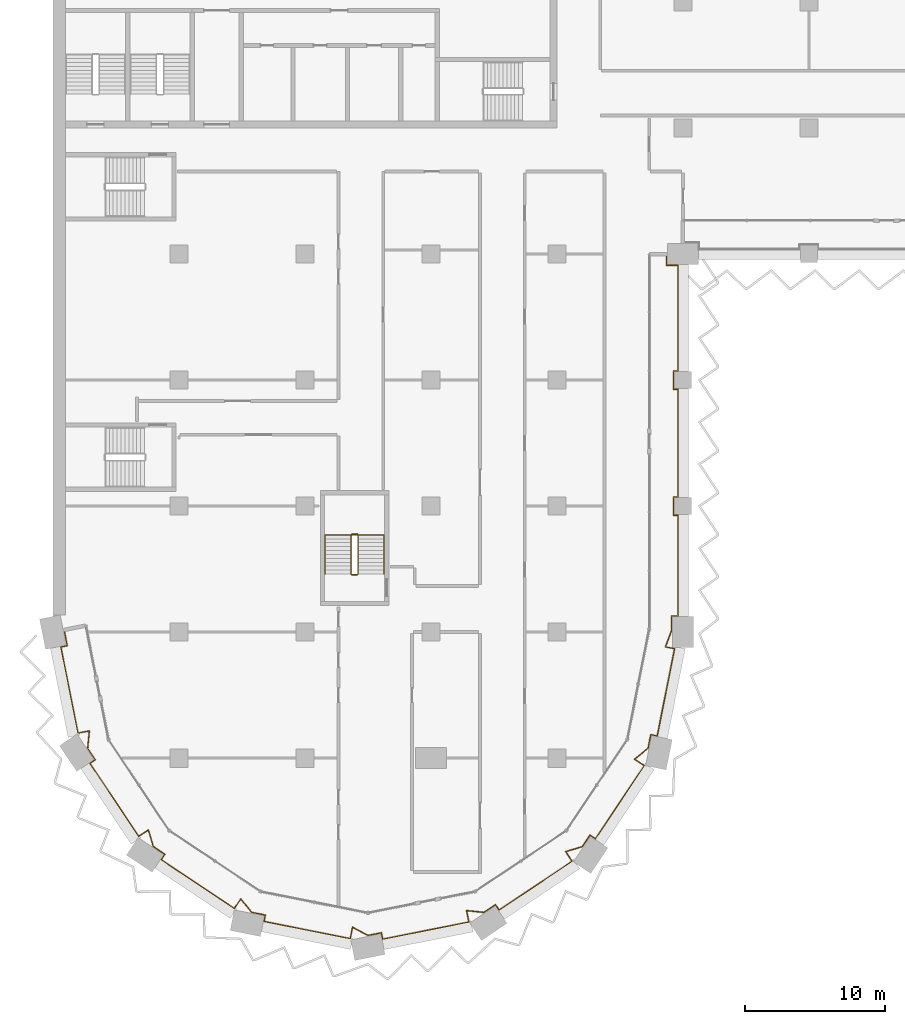
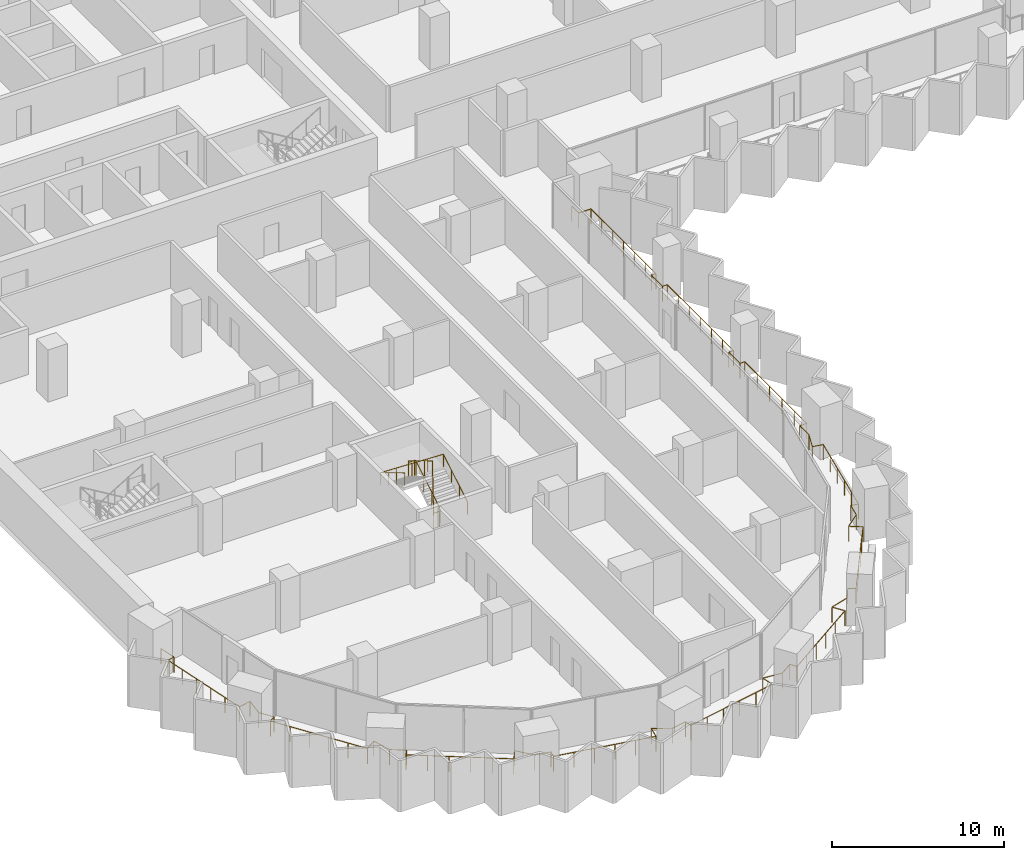
# One storey, part 20 of 23: 3 railings.
"""IFC4 building model written with IfcOpenShell, lengths in metres."""

from ifc_helpers import new_model, si_unit, direction, frame, origin, origin_2d, place, context, subcontext, project, spatial, circle, extrude, material, type_object, element, save


model = new_model("IFC4")

# Units and contexts
model_context = context("Model", 3, precision=1e-05, world=origin(), true_north=direction((0.0, 1.0)))
body_context = subcontext(model_context, "Body", "Model", "MODEL_VIEW")
ifc_project = project(units=[si_unit("LENGTHUNIT", "METRE"), si_unit("AREAUNIT", "SQUARE_METRE"), si_unit("VOLUMEUNIT", "CUBIC_METRE"), si_unit("PLANEANGLEUNIT", "RADIAN"), si_unit("MASSUNIT", "GRAM", prefix="KILO")], contexts=[model_context])

# Site, building, storey
site_placement = place(None, origin())
site = spatial("IfcSite", under=ifc_project, at=site_placement, CompositionType="ELEMENT")
building_placement = place(site_placement, origin())
building = spatial("IfcBuilding", under=site, at=building_placement, Name="Hunhe Ridgeline Campus", CompositionType="ELEMENT")
storey_placement = place(building_placement, frame((0.0, 0.0, 125.5)))
storey = spatial("IfcBuildingStorey", under=building, at=storey_placement, Name="L31", CompositionType="ELEMENT", Elevation=125.5)

# Railings
ifc_material_1 = material(Name="Steel Q355", Category="steel")
railing_type_1 = type_object("IfcRailingType", Name="Loggia guard 1100 Steel Q355", PredefinedType="GUARDRAIL", material=ifc_material_1)
railing_1_placement = place(storey_placement, frame((0.80419921875, 27.159912109375, 0.0)))
element("IfcRailing", 1, at=railing_1_placement, inside=storey, type_object=railing_type_1, Name="Loggia guard 1", PredefinedType="GUARDRAIL", context=body_context, shape_type="SweptSolid", body=[
    extrude(circle(Radius=0.02392578125, at=origin_2d()), frame((0.0, 0.0, 1.076171875), z_axis=(0.195095399255, -0.980784270464, 0.0), x_axis=(0.980784270464, 0.195095399255, 0.0)), (0.0, 0.0, 1.0), 1.150146484375),
    extrude(circle(Radius=0.02392578125, at=origin_2d()), frame((0.224365234375, -1.1279296875, 1.076171875), z_axis=(-0.980839571814, -0.194817181902, 0.0), x_axis=(0.194817181902, -0.980839571814, 0.0)), (0.0, 0.0, 1.0), 0.469970703125),
    extrude(circle(Radius=0.02392578125, at=origin_2d()), frame((-0.236572265625, -1.219482421875, 1.076171875), z_axis=(0.195091122585, -0.98078512116, 0.0), x_axis=(0.98078512116, 0.195091122585, 0.0)), (0.0, 0.0, 1.0), 6.27587890625),
    extrude(circle(Radius=0.02392578125, at=origin_2d()), frame((0.98779296875, -7.374755859375, 1.076171875), z_axis=(0.980805242724, 0.194989937807, 0.0), x_axis=(-0.194989937807, 0.980805242724, 0.0)), (0.0, 0.0, 1.0), 0.833984375),
    extrude(circle(Radius=0.02392578125, at=origin_2d()), frame((1.8056640625, -7.212158203125, 1.076171875), z_axis=(-0.10024174874, -0.994963110778, 0.0), x_axis=(0.994963110778, -0.10024174874, 0.0)), (0.0, 0.0, 1.0), 1.24462890625),
    extrude(circle(Radius=0.02392578125, at=origin_2d()), frame((1.680908203125, -8.450439453125, 1.076171875), z_axis=(0.555613261421, -0.831440860034, 0.0), x_axis=(0.831440860034, 0.555613261421, 0.0)), (0.0, 0.0, 1.0), 0.98681640625),
    extrude(circle(Radius=0.02392578125, at=origin_2d()), frame((2.229248046875, -9.27099609375, 1.076171875), z_axis=(-0.831650496226, -0.55529942565, 0.0), x_axis=(0.55529942565, -0.831650496226, 0.0)), (0.0, 0.0, 1.0), 0.469970703125),
    extrude(circle(Radius=0.02392578125, at=origin_2d()), frame((1.83837890625, -9.531982421875, 1.076171875), z_axis=(0.55555274607, -0.831481296443, 0.0), x_axis=(0.831481296443, 0.55555274607, 0.0)), (0.0, 0.0, 1.0), 6.27587890625),
    extrude(circle(Radius=0.02392578125, at=origin_2d()), frame((5.324951171875, -14.750244140625, 1.076171875), z_axis=(0.831419211319, 0.555645656016, 0.0), x_axis=(-0.555645656016, 0.831419211319, 0.0)), (0.0, 0.0, 1.0), 0.833984375),
    extrude(circle(Radius=0.02392578125, at=origin_2d()), frame((6.018310546875, -14.286865234375, 1.076171875), z_axis=(0.288373576958, -0.957517979002, 0.0), x_axis=(0.957517979002, 0.288373576958, 0.0)), (0.0, 0.0, 1.0), 1.24462890625),
    extrude(circle(Radius=0.02392578125, at=origin_2d()), frame((6.377197265625, -15.478515625, 1.076171875), z_axis=(0.831440860034, -0.555613261421, 0.0), x_axis=(0.555613261421, 0.831440860034, 0.0)), (0.0, 0.0, 1.0), 0.98681640625),
    extrude(circle(Radius=0.02392578125, at=origin_2d()), frame((7.19775390625, -16.02685546875, 1.076171875), z_axis=(-0.555658548717, -0.831410594856, 0.0), x_axis=(0.831410594856, -0.555658548717, 0.0)), (0.0, 0.0, 1.0), 0.47021484375),
    extrude(circle(Radius=0.02392578125, at=origin_2d()), frame((6.9365234375, -16.417724609375, 1.076171875), z_axis=(0.831469289337, -0.555570716372, 0.0), x_axis=(0.555570716372, 0.831469289337, 0.0)), (0.0, 0.0, 1.0), 6.275634765625),
    extrude(circle(Radius=0.02392578125, at=origin_2d()), frame((12.154541015625, -19.904296875, 1.076171875), z_axis=(0.555645656016, 0.831419211319, 0.0), x_axis=(-0.831419211319, 0.555645656016, 0.0)), (0.0, 0.0, 1.0), 0.833984375),
    extrude(circle(Radius=0.02392578125, at=origin_2d()), frame((12.617919921875, -19.2109375, 1.076171875), z_axis=(0.632628709191, -0.774455238414, 0.0), x_axis=(0.774455238414, 0.632628709191, 0.0)), (0.0, 0.0, 1.0), 1.24462890625),
    extrude(circle(Radius=0.02392578125, at=origin_2d()), frame((13.4052734375, -20.1748046875, 1.076171875), z_axis=(0.980770488785, -0.195164669773, 0.0), x_axis=(0.195164669773, 0.980770488785, 0.0)), (0.0, 0.0, 1.0), 0.987060546875),
    extrude(circle(Radius=0.02392578125, at=origin_2d()), frame((14.373291015625, -20.367431640625, 1.076171875), z_axis=(-0.195316901017, -0.980740183829, 0.0), x_axis=(0.980740183829, -0.195316901017, 0.0)), (0.0, 0.0, 1.0), 0.469970703125),
    extrude(circle(Radius=0.02392578125, at=origin_2d()), frame((14.281494140625, -20.828369140625, 1.076171875), z_axis=(0.98078512116, -0.195091122585, 0.0), x_axis=(0.195091122585, 0.98078512116, 0.0)), (0.0, 0.0, 1.0), 6.27587890625),
    extrude(circle(Radius=0.02392578125, at=origin_2d()), frame((20.436767578125, -22.052734375, 1.076171875), z_axis=(0.194989937807, 0.980805242724, 0.0), x_axis=(-0.980805242724, 0.194989937807, 0.0)), (0.0, 0.0, 1.0), 0.833984375),
    extrude(circle(Radius=0.02392578125, at=origin_2d()), frame((20.599365234375, -21.23486328125, 1.076171875), z_axis=(0.880980801229, -0.473152013486, 0.0), x_axis=(0.473152013486, 0.880980801229, 0.0)), (0.0, 0.0, 1.0), 1.24462890625),
    extrude(circle(Radius=0.02392578125, at=origin_2d()), frame((21.69580078125, -21.82373046875, 1.076171875), z_axis=(0.98081780924, 0.194926717196, 0.0), x_axis=(-0.194926717196, 0.98081780924, 0.0)), (0.0, 0.0, 1.0), 0.987060546875),
    extrude(circle(Radius=0.02392578125, at=origin_2d()), frame((22.663818359375, -21.63134765625, 1.076171875), z_axis=(0.194817181902, -0.980839571814, 0.0), x_axis=(0.980839571814, 0.194817181902, 0.0)), (0.0, 0.0, 1.0), 0.469970703125),
    extrude(circle(Radius=0.02392578125, at=origin_2d()), frame((22.75537109375, -22.09228515625, 1.076171875), z_axis=(0.98078512116, 0.195091122585, 0.0), x_axis=(-0.195091122585, 0.98078512116, 0.0)), (0.0, 0.0, 1.0), 6.27587890625),
    extrude(circle(Radius=0.02392578125, at=origin_2d()), frame((28.91064453125, -20.867919921875, 1.076171875), z_axis=(-0.194989937807, 0.980805242724, 0.0), x_axis=(-0.980805242724, -0.194989937807, 0.0)), (0.0, 0.0, 1.0), 0.833984375),
    extrude(circle(Radius=0.02392578125, at=origin_2d()), frame((28.748046875, -20.050048828125, 1.076171875), z_axis=(0.994963110778, -0.10024174874, 0.0), x_axis=(0.10024174874, 0.994963110778, 0.0)), (0.0, 0.0, 1.0), 1.24462890625),
    extrude(circle(Radius=0.02392578125, at=origin_2d()), frame((29.986328125, -20.1748046875, 1.076171875), z_axis=(0.831440860034, 0.555613261421, 0.0), x_axis=(-0.555613261421, 0.831440860034, 0.0)), (0.0, 0.0, 1.0), 0.98681640625),
    extrude(circle(Radius=0.02392578125, at=origin_2d()), frame((30.806884765625, -19.62646484375, 1.076171875), z_axis=(0.55529942565, -0.831650496226, 0.0), x_axis=(0.831650496226, 0.55529942565, 0.0)), (0.0, 0.0, 1.0), 0.469970703125),
    extrude(circle(Radius=0.02392578125, at=origin_2d()), frame((31.06787109375, -20.017333984375, 1.076171875), z_axis=(0.831481296443, 0.55555274607, 0.0), x_axis=(-0.55555274607, 0.831481296443, 0.0)), (0.0, 0.0, 1.0), 6.27587890625),
    extrude(circle(Radius=0.02392578125, at=origin_2d()), frame((36.2861328125, -16.53076171875, 1.076171875), z_axis=(-0.555645656016, 0.831419211319, 0.0), x_axis=(-0.831419211319, -0.555645656016, 0.0)), (0.0, 0.0, 1.0), 0.833984375),
    extrude(circle(Radius=0.02392578125, at=origin_2d()), frame((35.82275390625, -15.83740234375, 1.076171875), z_axis=(0.957517979002, 0.288373576958, 0.0), x_axis=(-0.288373576958, 0.957517979002, 0.0)), (0.0, 0.0, 1.0), 1.24462890625),
    extrude(circle(Radius=0.02392578125, at=origin_2d()), frame((37.014404296875, -15.478515625, 1.076171875), z_axis=(0.555613261421, 0.831440860034, 0.0), x_axis=(-0.831440860034, 0.555613261421, 0.0)), (0.0, 0.0, 1.0), 0.98681640625),
    extrude(circle(Radius=0.02392578125, at=origin_2d()), frame((37.562744140625, -14.657958984375, 1.076171875), z_axis=(0.831410594856, -0.555658548717, 0.0), x_axis=(0.555658548717, 0.831410594856, 0.0)), (0.0, 0.0, 1.0), 0.47021484375),
    extrude(circle(Radius=0.02392578125, at=origin_2d()), frame((37.95361328125, -14.919189453125, 1.076171875), z_axis=(0.555570716372, 0.831469289337, 0.0), x_axis=(-0.831469289337, 0.555570716372, 0.0)), (0.0, 0.0, 1.0), 6.275634765625),
    extrude(circle(Radius=0.02392578125, at=origin_2d()), frame((41.440185546875, -9.701171875, 1.076171875), z_axis=(-0.831419211319, 0.555645656016, 0.0), x_axis=(-0.555645656016, -0.831419211319, 0.0)), (0.0, 0.0, 1.0), 0.833984375),
    extrude(circle(Radius=0.02392578125, at=origin_2d()), frame((40.746826171875, -9.23779296875, 1.076171875), z_axis=(0.774455238414, 0.632628709191, 0.0), x_axis=(-0.632628709191, 0.774455238414, 0.0)), (0.0, 0.0, 1.0), 1.24462890625),
    extrude(circle(Radius=0.02392578125, at=origin_2d()), frame((41.710693359375, -8.450439453125, 1.076171875), z_axis=(0.195164669773, 0.980770488785, 0.0), x_axis=(-0.980770488785, 0.195164669773, 0.0)), (0.0, 0.0, 1.0), 0.987060546875),
    extrude(circle(Radius=0.02392578125, at=origin_2d()), frame((41.9033203125, -7.482421875, 1.076171875), z_axis=(0.980740183829, -0.195316901017, 0.0), x_axis=(0.195316901017, 0.980740183829, 0.0)), (0.0, 0.0, 1.0), 0.469970703125),
    extrude(circle(Radius=0.02392578125, at=origin_2d()), frame((42.3642578125, -7.57421875, 1.076171875), z_axis=(0.195074166836, 0.98078849373, 0.0), x_axis=(-0.98078849373, 0.195074166836, 0.0)), (0.0, 0.0, 1.0), 6.35400390625),
    extrude(circle(Radius=0.02392578125, at=origin_2d()), frame((43.603759765625, -1.34228515625, 1.076171875), z_axis=(-0.980818178173, 0.194924860818, 0.0), x_axis=(-0.194924860818, -0.980818178173, 0.0)), (0.0, 0.0, 1.0), 0.670166015625),
    extrude(circle(Radius=0.02392578125, at=origin_2d()), frame((42.946533203125, -1.211669921875, 1.076171875), z_axis=(0.354368618256, 0.935105813475, 0.0), x_axis=(-0.935105813475, 0.354368618256, 0.0)), (0.0, 0.0, 1.0), 1.211181640625),
    extrude(circle(Radius=0.02392578125, at=origin_2d()), frame((43.375732421875, -0.0791015625, 1.076171875), z_axis=(0.0, 1.0, 0.0), x_axis=(-1.0, 0.0, 0.0)), (0.0, 0.0, 1.0), 1.069091796875),
    extrude(circle(Radius=0.02392578125, at=origin_2d()), frame((43.375732421875, 0.989990234375, 1.076171875), z_axis=(1.0, 0.0, 0.0), x_axis=(0.0, 1.0, 0.0)), (0.0, 0.0, 1.0), 0.469970703125),
    extrude(circle(Radius=0.02392578125, at=origin_2d()), frame((43.845703125, 0.989990234375, 1.076171875), z_axis=(0.0, 1.0, 0.0), x_axis=(-1.0, 0.0, 0.0)), (0.0, 0.0, 1.0), 7.2001953125),
    extrude(circle(Radius=0.02392578125, at=origin_2d()), frame((43.845703125, 8.190185546875, 1.076171875), z_axis=(-1.0, 0.0, 0.0), x_axis=(0.0, -1.0, 0.0)), (0.0, 0.0, 1.0), 0.31982421875),
    extrude(circle(Radius=0.02392578125, at=origin_2d()), frame((43.52587890625, 8.190185546875, 1.076171875), z_axis=(0.0, 1.0, 0.0), x_axis=(-1.0, 0.0, 0.0)), (0.0, 0.0, 1.0), 1.2998046875),
    extrude(circle(Radius=0.02392578125, at=origin_2d()), frame((43.52587890625, 9.489990234375, 1.076171875), z_axis=(1.0, 0.0, 0.0), x_axis=(0.0, 1.0, 0.0)), (0.0, 0.0, 1.0), 0.31982421875),
    extrude(circle(Radius=0.02392578125, at=origin_2d()), frame((43.845703125, 9.489990234375, 1.076171875), z_axis=(0.0, 1.0, 0.0), x_axis=(-1.0, 0.0, 0.0)), (0.0, 0.0, 1.0), 7.7001953125),
    extrude(circle(Radius=0.02392578125, at=origin_2d()), frame((43.845703125, 17.190185546875, 1.076171875), z_axis=(-1.0, 0.0, 0.0), x_axis=(0.0, -1.0, 0.0)), (0.0, 0.0, 1.0), 0.31982421875),
    extrude(circle(Radius=0.02392578125, at=origin_2d()), frame((43.52587890625, 17.190185546875, 1.076171875), z_axis=(0.0, 1.0, 0.0), x_axis=(-1.0, 0.0, 0.0)), (0.0, 0.0, 1.0), 1.2998046875),
    extrude(circle(Radius=0.02392578125, at=origin_2d()), frame((43.52587890625, 18.489990234375, 1.076171875), z_axis=(1.0, 0.0, 0.0), x_axis=(0.0, 1.0, 0.0)), (0.0, 0.0, 1.0), 0.31982421875),
    extrude(circle(Radius=0.02392578125, at=origin_2d()), frame((43.845703125, 18.489990234375, 1.076171875), z_axis=(0.0, 1.0, 0.0), x_axis=(-1.0, 0.0, 0.0)), (0.0, 0.0, 1.0), 7.550048828125),
    extrude(circle(Radius=0.02392578125, at=origin_2d()), frame((43.845703125, 26.0400390625, 1.076171875), z_axis=(-1.0, 0.0, 0.0), x_axis=(0.0, -1.0, 0.0)), (0.0, 0.0, 1.0), 0.81982421875),
    extrude(circle(Radius=0.02392578125, at=origin_2d()), frame((43.02587890625, 26.0400390625, 1.076171875), z_axis=(0.0, 1.0, 0.0), x_axis=(-1.0, 0.0, 0.0)), (0.0, 0.0, 1.0), 0.800048828125),
    extrude(circle(Radius=0.02099609375, at=origin_2d()), origin(), (0.0, 0.0, 1.0), 1.052001953125),
    extrude(circle(Radius=0.02099609375, at=origin_2d()), frame((0.224365234375, -1.1279296875, 0.0)), (0.0, 0.0, 1.0), 1.052001953125),
    extrude(circle(Radius=0.02099609375, at=origin_2d()), frame((-0.236572265625, -1.219482421875, 0.0)), (0.0, 0.0, 1.0), 1.052001953125),
    extrude(circle(Radius=0.02099609375, at=origin_2d()), frame((0.00830078125, -2.450439453125, 0.0)), (0.0, 0.0, 1.0), 1.052001953125),
    extrude(circle(Radius=0.02099609375, at=origin_2d()), frame((0.253173828125, -3.681640625, 0.0)), (0.0, 0.0, 1.0), 1.052001953125),
    extrude(circle(Radius=0.02099609375, at=origin_2d()), frame((0.498046875, -4.91259765625, 0.0)), (0.0, 0.0, 1.0), 1.052001953125),
    extrude(circle(Radius=0.02099609375, at=origin_2d()), frame((0.742919921875, -6.143798828125, 0.0)), (0.0, 0.0, 1.0), 1.052001953125),
    extrude(circle(Radius=0.02099609375, at=origin_2d()), frame((0.98779296875, -7.374755859375, 0.0)), (0.0, 0.0, 1.0), 1.052001953125),
    extrude(circle(Radius=0.02099609375, at=origin_2d()), frame((1.8056640625, -7.212158203125, 0.0)), (0.0, 0.0, 1.0), 1.052001953125),
    extrude(circle(Radius=0.02099609375, at=origin_2d()), frame((1.680908203125, -8.450439453125, 0.0)), (0.0, 0.0, 1.0), 1.052001953125),
    extrude(circle(Radius=0.02099609375, at=origin_2d()), frame((2.229248046875, -9.27099609375, 0.0)), (0.0, 0.0, 1.0), 1.052001953125),
    extrude(circle(Radius=0.02099609375, at=origin_2d()), frame((1.83837890625, -9.531982421875, 0.0)), (0.0, 0.0, 1.0), 1.052001953125),
    extrude(circle(Radius=0.02099609375, at=origin_2d()), frame((2.53564453125, -10.57568359375, 0.0)), (0.0, 0.0, 1.0), 1.052001953125),
    extrude(circle(Radius=0.02099609375, at=origin_2d()), frame((3.23291015625, -11.619384765625, 0.0)), (0.0, 0.0, 1.0), 1.052001953125),
    extrude(circle(Radius=0.02099609375, at=origin_2d()), frame((3.930419921875, -12.662841796875, 0.0)), (0.0, 0.0, 1.0), 1.052001953125),
    extrude(circle(Radius=0.02099609375, at=origin_2d()), frame((4.627685546875, -13.70654296875, 0.0)), (0.0, 0.0, 1.0), 1.052001953125),
    extrude(circle(Radius=0.02099609375, at=origin_2d()), frame((5.324951171875, -14.750244140625, 0.0)), (0.0, 0.0, 1.0), 1.052001953125),
    extrude(circle(Radius=0.02099609375, at=origin_2d()), frame((6.018310546875, -14.286865234375, 0.0)), (0.0, 0.0, 1.0), 1.052001953125),
    extrude(circle(Radius=0.02099609375, at=origin_2d()), frame((6.377197265625, -15.478515625, 0.0)), (0.0, 0.0, 1.0), 1.052001953125),
    extrude(circle(Radius=0.02099609375, at=origin_2d()), frame((7.19775390625, -16.02685546875, 0.0)), (0.0, 0.0, 1.0), 1.052001953125),
    extrude(circle(Radius=0.02099609375, at=origin_2d()), frame((6.9365234375, -16.417724609375, 0.0)), (0.0, 0.0, 1.0), 1.052001953125),
    extrude(circle(Radius=0.02099609375, at=origin_2d()), frame((7.980224609375, -17.114990234375, 0.0)), (0.0, 0.0, 1.0), 1.052001953125),
    extrude(circle(Radius=0.02099609375, at=origin_2d()), frame((9.023681640625, -17.812255859375, 0.0)), (0.0, 0.0, 1.0), 1.052001953125),
    extrude(circle(Radius=0.02099609375, at=origin_2d()), frame((10.0673828125, -18.509765625, 0.0)), (0.0, 0.0, 1.0), 1.052001953125),
    extrude(circle(Radius=0.02099609375, at=origin_2d()), frame((11.11083984375, -19.20703125, 0.0)), (0.0, 0.0, 1.0), 1.052001953125),
    extrude(circle(Radius=0.02099609375, at=origin_2d()), frame((12.154541015625, -19.904296875, 0.0)), (0.0, 0.0, 1.0), 1.052001953125),
    extrude(circle(Radius=0.02099609375, at=origin_2d()), frame((12.617919921875, -19.2109375, 0.0)), (0.0, 0.0, 1.0), 1.052001953125),
    extrude(circle(Radius=0.02099609375, at=origin_2d()), frame((13.4052734375, -20.1748046875, 0.0)), (0.0, 0.0, 1.0), 1.052001953125),
    extrude(circle(Radius=0.02099609375, at=origin_2d()), frame((14.373291015625, -20.367431640625, 0.0)), (0.0, 0.0, 1.0), 1.052001953125),
    extrude(circle(Radius=0.02099609375, at=origin_2d()), frame((14.281494140625, -20.828369140625, 0.0)), (0.0, 0.0, 1.0), 1.052001953125),
    extrude(circle(Radius=0.02099609375, at=origin_2d()), frame((15.512451171875, -21.0732421875, 0.0)), (0.0, 0.0, 1.0), 1.052001953125),
    extrude(circle(Radius=0.02099609375, at=origin_2d()), frame((16.74365234375, -21.318115234375, 0.0)), (0.0, 0.0, 1.0), 1.052001953125),
    extrude(circle(Radius=0.02099609375, at=origin_2d()), frame((17.974609375, -21.56298828125, 0.0)), (0.0, 0.0, 1.0), 1.052001953125),
    extrude(circle(Radius=0.02099609375, at=origin_2d()), frame((19.205810546875, -21.807861328125, 0.0)), (0.0, 0.0, 1.0), 1.052001953125),
    extrude(circle(Radius=0.02099609375, at=origin_2d()), frame((20.436767578125, -22.052734375, 0.0)), (0.0, 0.0, 1.0), 1.052001953125),
    extrude(circle(Radius=0.02099609375, at=origin_2d()), frame((20.599365234375, -21.23486328125, 0.0)), (0.0, 0.0, 1.0), 1.052001953125),
    extrude(circle(Radius=0.02099609375, at=origin_2d()), frame((21.69580078125, -21.82373046875, 0.0)), (0.0, 0.0, 1.0), 1.052001953125),
    extrude(circle(Radius=0.02099609375, at=origin_2d()), frame((22.663818359375, -21.63134765625, 0.0)), (0.0, 0.0, 1.0), 1.052001953125),
    extrude(circle(Radius=0.02099609375, at=origin_2d()), frame((22.75537109375, -22.09228515625, 0.0)), (0.0, 0.0, 1.0), 1.052001953125),
    extrude(circle(Radius=0.02099609375, at=origin_2d()), frame((23.986328125, -21.847412109375, 0.0)), (0.0, 0.0, 1.0), 1.052001953125),
    extrude(circle(Radius=0.02099609375, at=origin_2d()), frame((25.217529296875, -21.6025390625, 0.0)), (0.0, 0.0, 1.0), 1.052001953125),
    extrude(circle(Radius=0.02099609375, at=origin_2d()), frame((26.448486328125, -21.357666015625, 0.0)), (0.0, 0.0, 1.0), 1.052001953125),
    extrude(circle(Radius=0.02099609375, at=origin_2d()), frame((27.6796875, -21.11279296875, 0.0)), (0.0, 0.0, 1.0), 1.052001953125),
    extrude(circle(Radius=0.02099609375, at=origin_2d()), frame((28.91064453125, -20.867919921875, 0.0)), (0.0, 0.0, 1.0), 1.052001953125),
    extrude(circle(Radius=0.02099609375, at=origin_2d()), frame((28.748046875, -20.050048828125, 0.0)), (0.0, 0.0, 1.0), 1.052001953125),
    extrude(circle(Radius=0.02099609375, at=origin_2d()), frame((29.986328125, -20.1748046875, 0.0)), (0.0, 0.0, 1.0), 1.052001953125),
    extrude(circle(Radius=0.02099609375, at=origin_2d()), frame((30.806884765625, -19.62646484375, 0.0)), (0.0, 0.0, 1.0), 1.052001953125),
    extrude(circle(Radius=0.02099609375, at=origin_2d()), frame((31.06787109375, -20.017333984375, 0.0)), (0.0, 0.0, 1.0), 1.052001953125),
    extrude(circle(Radius=0.02099609375, at=origin_2d()), frame((32.111572265625, -19.320068359375, 0.0)), (0.0, 0.0, 1.0), 1.052001953125),
    extrude(circle(Radius=0.02099609375, at=origin_2d()), frame((33.1552734375, -18.622802734375, 0.0)), (0.0, 0.0, 1.0), 1.052001953125),
    extrude(circle(Radius=0.02099609375, at=origin_2d()), frame((34.19873046875, -17.92529296875, 0.0)), (0.0, 0.0, 1.0), 1.052001953125),
    extrude(circle(Radius=0.02099609375, at=origin_2d()), frame((35.242431640625, -17.22802734375, 0.0)), (0.0, 0.0, 1.0), 1.052001953125),
    extrude(circle(Radius=0.02099609375, at=origin_2d()), frame((36.2861328125, -16.53076171875, 0.0)), (0.0, 0.0, 1.0), 1.052001953125),
    extrude(circle(Radius=0.02099609375, at=origin_2d()), frame((35.82275390625, -15.83740234375, 0.0)), (0.0, 0.0, 1.0), 1.052001953125),
    extrude(circle(Radius=0.02099609375, at=origin_2d()), frame((37.014404296875, -15.478515625, 0.0)), (0.0, 0.0, 1.0), 1.052001953125),
    extrude(circle(Radius=0.02099609375, at=origin_2d()), frame((37.562744140625, -14.657958984375, 0.0)), (0.0, 0.0, 1.0), 1.052001953125),
    extrude(circle(Radius=0.02099609375, at=origin_2d()), frame((37.95361328125, -14.919189453125, 0.0)), (0.0, 0.0, 1.0), 1.052001953125),
    extrude(circle(Radius=0.02099609375, at=origin_2d()), frame((38.65087890625, -13.87548828125, 0.0)), (0.0, 0.0, 1.0), 1.052001953125),
    extrude(circle(Radius=0.02099609375, at=origin_2d()), frame((39.34814453125, -12.83203125, 0.0)), (0.0, 0.0, 1.0), 1.052001953125),
    extrude(circle(Radius=0.02099609375, at=origin_2d()), frame((40.045654296875, -11.788330078125, 0.0)), (0.0, 0.0, 1.0), 1.052001953125),
    extrude(circle(Radius=0.02099609375, at=origin_2d()), frame((40.742919921875, -10.744873046875, 0.0)), (0.0, 0.0, 1.0), 1.052001953125),
    extrude(circle(Radius=0.02099609375, at=origin_2d()), frame((41.440185546875, -9.701171875, 0.0)), (0.0, 0.0, 1.0), 1.052001953125),
    extrude(circle(Radius=0.02099609375, at=origin_2d()), frame((40.746826171875, -9.23779296875, 0.0)), (0.0, 0.0, 1.0), 1.052001953125),
    extrude(circle(Radius=0.02099609375, at=origin_2d()), frame((41.710693359375, -8.450439453125, 0.0)), (0.0, 0.0, 1.0), 1.052001953125),
    extrude(circle(Radius=0.02099609375, at=origin_2d()), frame((41.9033203125, -7.482421875, 0.0)), (0.0, 0.0, 1.0), 1.052001953125),
    extrude(circle(Radius=0.02099609375, at=origin_2d()), frame((42.3642578125, -7.57421875, 0.0)), (0.0, 0.0, 1.0), 1.052001953125),
    extrude(circle(Radius=0.02099609375, at=origin_2d()), frame((42.612060546875, -6.327880859375, 0.0)), (0.0, 0.0, 1.0), 1.052001953125),
    extrude(circle(Radius=0.02099609375, at=origin_2d()), frame((42.860107421875, -5.08154296875, 0.0)), (0.0, 0.0, 1.0), 1.052001953125),
    extrude(circle(Radius=0.02099609375, at=origin_2d()), frame((43.10791015625, -3.8349609375, 0.0)), (0.0, 0.0, 1.0), 1.052001953125),
    extrude(circle(Radius=0.02099609375, at=origin_2d()), frame((43.35595703125, -2.588623046875, 0.0)), (0.0, 0.0, 1.0), 1.052001953125),
    extrude(circle(Radius=0.02099609375, at=origin_2d()), frame((43.603759765625, -1.34228515625, 0.0)), (0.0, 0.0, 1.0), 1.052001953125),
    extrude(circle(Radius=0.02099609375, at=origin_2d()), frame((42.946533203125, -1.211669921875, 0.0)), (0.0, 0.0, 1.0), 1.052001953125),
    extrude(circle(Radius=0.02099609375, at=origin_2d()), frame((43.375732421875, -0.0791015625, 0.0)), (0.0, 0.0, 1.0), 1.052001953125),
    extrude(circle(Radius=0.02099609375, at=origin_2d()), frame((43.375732421875, 0.989990234375, 0.0)), (0.0, 0.0, 1.0), 1.052001953125),
    extrude(circle(Radius=0.02099609375, at=origin_2d()), frame((43.845703125, 0.989990234375, 0.0)), (0.0, 0.0, 1.0), 1.052001953125),
    extrude(circle(Radius=0.02099609375, at=origin_2d()), frame((43.845703125, 2.429931640625, 0.0)), (0.0, 0.0, 1.0), 1.052001953125),
    extrude(circle(Radius=0.02099609375, at=origin_2d()), frame((43.845703125, 3.8701171875, 0.0)), (0.0, 0.0, 1.0), 1.052001953125),
    extrude(circle(Radius=0.02099609375, at=origin_2d()), frame((43.845703125, 5.31005859375, 0.0)), (0.0, 0.0, 1.0), 1.052001953125),
    extrude(circle(Radius=0.02099609375, at=origin_2d()), frame((43.845703125, 6.750244140625, 0.0)), (0.0, 0.0, 1.0), 1.052001953125),
    extrude(circle(Radius=0.02099609375, at=origin_2d()), frame((43.845703125, 8.190185546875, 0.0)), (0.0, 0.0, 1.0), 1.052001953125),
    extrude(circle(Radius=0.02099609375, at=origin_2d()), frame((43.52587890625, 8.190185546875, 0.0)), (0.0, 0.0, 1.0), 1.052001953125),
    extrude(circle(Radius=0.02099609375, at=origin_2d()), frame((43.52587890625, 9.489990234375, 0.0)), (0.0, 0.0, 1.0), 1.052001953125),
    extrude(circle(Radius=0.02099609375, at=origin_2d()), frame((43.845703125, 9.489990234375, 0.0)), (0.0, 0.0, 1.0), 1.052001953125),
    extrude(circle(Radius=0.02099609375, at=origin_2d()), frame((43.845703125, 10.7734375, 0.0)), (0.0, 0.0, 1.0), 1.052001953125),
    extrude(circle(Radius=0.02099609375, at=origin_2d()), frame((43.845703125, 12.056640625, 0.0)), (0.0, 0.0, 1.0), 1.052001953125),
    extrude(circle(Radius=0.02099609375, at=origin_2d()), frame((43.845703125, 13.340087890625, 0.0)), (0.0, 0.0, 1.0), 1.052001953125),
    extrude(circle(Radius=0.02099609375, at=origin_2d()), frame((43.845703125, 14.62353515625, 0.0)), (0.0, 0.0, 1.0), 1.052001953125),
    extrude(circle(Radius=0.02099609375, at=origin_2d()), frame((43.845703125, 15.90673828125, 0.0)), (0.0, 0.0, 1.0), 1.052001953125),
    extrude(circle(Radius=0.02099609375, at=origin_2d()), frame((43.845703125, 17.190185546875, 0.0)), (0.0, 0.0, 1.0), 1.052001953125),
    extrude(circle(Radius=0.02099609375, at=origin_2d()), frame((43.52587890625, 17.190185546875, 0.0)), (0.0, 0.0, 1.0), 1.052001953125),
    extrude(circle(Radius=0.02099609375, at=origin_2d()), frame((43.52587890625, 18.489990234375, 0.0)), (0.0, 0.0, 1.0), 1.052001953125),
    extrude(circle(Radius=0.02099609375, at=origin_2d()), frame((43.845703125, 18.489990234375, 0.0)), (0.0, 0.0, 1.0), 1.052001953125),
    extrude(circle(Radius=0.02099609375, at=origin_2d()), frame((43.845703125, 19.748291015625, 0.0)), (0.0, 0.0, 1.0), 1.052001953125),
    extrude(circle(Radius=0.02099609375, at=origin_2d()), frame((43.845703125, 21.006591796875, 0.0)), (0.0, 0.0, 1.0), 1.052001953125),
    extrude(circle(Radius=0.02099609375, at=origin_2d()), frame((43.845703125, 22.26513671875, 0.0)), (0.0, 0.0, 1.0), 1.052001953125),
    extrude(circle(Radius=0.02099609375, at=origin_2d()), frame((43.845703125, 23.5234375, 0.0)), (0.0, 0.0, 1.0), 1.052001953125),
    extrude(circle(Radius=0.02099609375, at=origin_2d()), frame((43.845703125, 24.78173828125, 0.0)), (0.0, 0.0, 1.0), 1.052001953125),
    extrude(circle(Radius=0.02099609375, at=origin_2d()), frame((43.845703125, 26.0400390625, 0.0)), (0.0, 0.0, 1.0), 1.052001953125),
    extrude(circle(Radius=0.02099609375, at=origin_2d()), frame((43.02587890625, 26.0400390625, 0.0)), (0.0, 0.0, 1.0), 1.052001953125),
    extrude(circle(Radius=0.02099609375, at=origin_2d()), frame((43.02587890625, 26.840087890625, 0.0)), (0.0, 0.0, 1.0), 1.052001953125),
])
ifc_material_2 = material(Name="Stainless steel balustrade", Category="steel")
railing_type_2 = type_object("IfcRailingType", Name="Stair guard 1100 stainless", PredefinedType="GUARDRAIL", material=ifc_material_2)
railing_2_placement = place(storey_placement, frame((21.800048828125, 31.14990234375, 0.168212890625)))
element("IfcRailing", 2, at=railing_2_placement, inside=storey, type_object=railing_type_2, Name="L31 stair W3 guard", PredefinedType="GUARDRAIL", context=body_context, shape_type="SweptSolid", body=[
    extrude(circle(Radius=0.02392578125, at=origin_2d()), frame((0.0, 0.0, 1.076171875), z_axis=(0.0, 0.857242210791, 0.514913383045), x_axis=(-1.0, 0.0, 0.0)), (0.0, 0.0, 1.0), 3.266357421875),
    extrude(circle(Radius=0.02392578125, at=origin_2d()), frame((0.0, 2.800048828125, 2.7578125), z_axis=(-0.707106781187, 0.707106781187, 0.0), x_axis=(-0.707106781187, -0.707106781187, 0.0)), (0.0, 0.0, 1.0), 0.07080078125),
    extrude(circle(Radius=0.02392578125, at=origin_2d()), frame((-0.050048828125, 2.85009765625, 2.7578125), z_axis=(-1.0, 0.0, 0.0), x_axis=(0.0, -1.0, 0.0)), (0.0, 0.0, 1.0), 0.39990234375),
    extrude(circle(Radius=0.02392578125, at=origin_2d()), frame((-0.449951171875, 2.85009765625, 2.7578125), z_axis=(-0.274582412415, -0.274582412415, 0.921525364591), x_axis=(0.707106781187, -0.707106781187, 0.0)), (0.0, 0.0, 1.0), 0.182373046875),
    extrude(circle(Radius=0.02392578125, at=origin_2d()), frame((-0.5, 2.800048828125, 2.92578125), z_axis=(0.0, -0.857242210791, 0.514913383045), x_axis=(1.0, 0.0, 0.0)), (0.0, 0.0, 1.0), 3.266357421875),
    extrude(circle(Radius=0.02392578125, at=origin_2d()), frame((-0.5, 0.0, 4.60791015625), z_axis=(0.013524426427, -0.013458453615, -0.999817963389), x_axis=(0.705375805398, 0.708833529934, 0.0)), (0.0, 0.0, 1.0), 3.70068359375),
    extrude(circle(Radius=0.02392578125, at=origin_2d()), frame((-0.449951171875, -0.0498046875, 0.90771484375), z_axis=(1.0, 0.0, 0.0), x_axis=(0.0, 1.0, 0.0)), (0.0, 0.0, 1.0), 0.39990234375),
    extrude(circle(Radius=0.02099609375, at=origin_2d()), origin(), (0.0, 0.0, 1.0), 1.052001953125),
    extrude(circle(Radius=0.02099609375, at=origin_2d()), frame((0.0, 0.933349609375, 0.560546875)), (0.0, 0.0, 1.0), 1.052001953125),
    extrude(circle(Radius=0.02099609375, at=origin_2d()), frame((0.0, 1.86669921875, 1.121337890625)), (0.0, 0.0, 1.0), 1.052001953125),
    extrude(circle(Radius=0.02099609375, at=origin_2d()), frame((0.0, 2.800048828125, 1.681884765625)), (0.0, 0.0, 1.0), 1.052001953125),
    extrude(circle(Radius=0.02099609375, at=origin_2d()), frame((-0.050048828125, 2.85009765625, 1.681884765625)), (0.0, 0.0, 1.0), 1.052001953125),
    extrude(circle(Radius=0.02099609375, at=origin_2d()), frame((-0.449951171875, 2.85009765625, 1.681884765625)), (0.0, 0.0, 1.0), 1.052001953125),
    extrude(circle(Radius=0.02099609375, at=origin_2d()), frame((-0.5, 2.800048828125, 1.849853515625)), (0.0, 0.0, 1.0), 1.052001953125),
    extrude(circle(Radius=0.02099609375, at=origin_2d()), frame((-0.5, 1.86669921875, 2.410400390625)), (0.0, 0.0, 1.0), 1.052001953125),
    extrude(circle(Radius=0.02099609375, at=origin_2d()), frame((-0.5, 0.933349609375, 2.97119140625)), (0.0, 0.0, 1.0), 1.052001953125),
    extrude(circle(Radius=0.02099609375, at=origin_2d()), frame((-0.5, 0.0, 3.53173828125)), (0.0, 0.0, 1.0), 1.052001953125),
    extrude(circle(Radius=0.02099609375, at=origin_2d()), frame((-0.487548828125, -0.012451171875, 2.606689453125)), (0.0, 0.0, 1.0), 1.052001953125),
    extrude(circle(Radius=0.02099609375, at=origin_2d()), frame((-0.47509765625, -0.02490234375, 1.681640625)), (0.0, 0.0, 1.0), 1.052001953125),
    extrude(circle(Radius=0.02099609375, at=origin_2d()), frame((-0.46240234375, -0.037353515625, 0.7568359375)), (0.0, 0.0, 1.0), 1.052001953125),
    extrude(circle(Radius=0.02099609375, at=origin_2d()), frame((-0.449951171875, -0.0498046875, -0.168212890625)), (0.0, 0.0, 1.0), 1.052001953125),
    extrude(circle(Radius=0.02099609375, at=origin_2d()), frame((-0.050048828125, -0.0498046875, -0.168212890625)), (0.0, 0.0, 1.0), 1.052001953125),
])
ifc_material_3 = material(Name="Stainless steel handrail", Category="steel")
railing_type_3 = type_object("IfcRailingType", Name="Stair handrail 900 stainless", PredefinedType="HANDRAIL", material=ifc_material_3)
railing_3_placement = place(storey_placement, frame((23.64990234375, 31.14990234375, 0.168212890625)))
element("IfcRailing", 3, at=railing_3_placement, inside=storey, type_object=railing_type_3, Name="L31 stair W3 handrail", PredefinedType="HANDRAIL", context=body_context, shape_type="SweptSolid", body=[
    extrude(circle(Radius=0.02392578125, at=origin_2d()), frame((0.0, 0.0, 0.8759765625), z_axis=(0.0, 0.857242210791, 0.514913383045), x_axis=(-1.0, 0.0, 0.0)), (0.0, 0.0, 1.0), 3.266357421875),
    extrude(circle(Radius=0.02392578125, at=origin_2d()), frame((0.0, 2.800048828125, 2.5576171875), z_axis=(-0.99920123705, 0.0, 0.039961079526), x_axis=(0.0, -1.0, 0.0)), (0.0, 0.0, 1.0), 4.203369140625),
    extrude(circle(Radius=0.02392578125, at=origin_2d()), frame((-4.199951171875, 2.800048828125, 2.7255859375), z_axis=(0.0, -0.857242210791, 0.514913383045), x_axis=(1.0, 0.0, 0.0)), (0.0, 0.0, 1.0), 3.266357421875),
    extrude(circle(Radius=0.02099609375, at=origin_2d()), origin(), (0.0, 0.0, 1.0), 0.851806640625),
    extrude(circle(Radius=0.02099609375, at=origin_2d()), frame((0.0, 0.933349609375, 0.560546875)), (0.0, 0.0, 1.0), 0.851806640625),
    extrude(circle(Radius=0.02099609375, at=origin_2d()), frame((0.0, 1.86669921875, 1.121337890625)), (0.0, 0.0, 1.0), 0.851806640625),
    extrude(circle(Radius=0.02099609375, at=origin_2d()), frame((0.0, 2.800048828125, 1.681884765625)), (0.0, 0.0, 1.0), 0.851806640625),
    extrude(circle(Radius=0.02099609375, at=origin_2d()), frame((-1.050048828125, 2.800048828125, 1.723876953125)), (0.0, 0.0, 1.0), 0.851806640625),
    extrude(circle(Radius=0.02099609375, at=origin_2d()), frame((-2.10009765625, 2.800048828125, 1.765869140625)), (0.0, 0.0, 1.0), 0.851806640625),
    extrude(circle(Radius=0.02099609375, at=origin_2d()), frame((-3.14990234375, 2.800048828125, 1.807861328125)), (0.0, 0.0, 1.0), 0.851806640625),
    extrude(circle(Radius=0.02099609375, at=origin_2d()), frame((-4.199951171875, 2.800048828125, 1.849853515625)), (0.0, 0.0, 1.0), 0.851806640625),
    extrude(circle(Radius=0.02099609375, at=origin_2d()), frame((-4.199951171875, 1.86669921875, 2.410400390625)), (0.0, 0.0, 1.0), 0.851806640625),
    extrude(circle(Radius=0.02099609375, at=origin_2d()), frame((-4.199951171875, 0.933349609375, 2.97119140625)), (0.0, 0.0, 1.0), 0.851806640625),
    extrude(circle(Radius=0.02099609375, at=origin_2d()), frame((-4.199951171875, 0.0, 3.53173828125)), (0.0, 0.0, 1.0), 0.851806640625),
])

save(model, "model.ifc")
